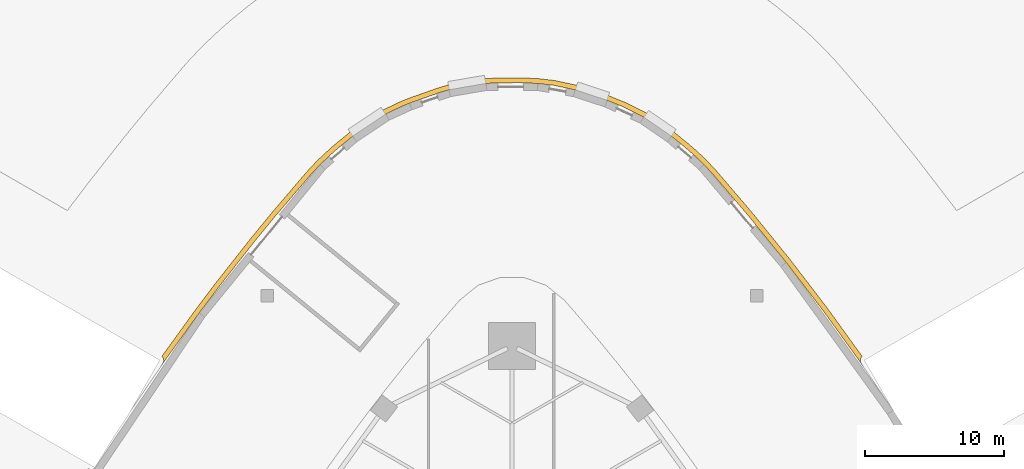
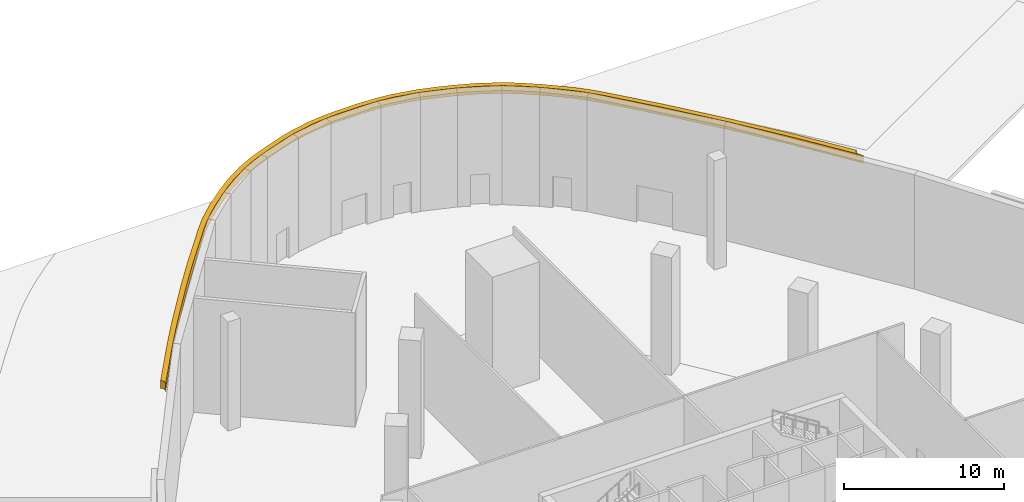
# One storey, part 26 of 29: 1 covering.
"""IFC4 building model written with IfcOpenShell, lengths in metres."""

from ifc_helpers import new_model, si_unit, direction, frame, origin, place, context, subcontext, project, spatial, polyline, outline, extrude, material, layer, layer_set, type_object, element, save


model = new_model("IFC4")

# Units and contexts
model_context = context("Model", 3, precision=1e-05, world=origin(), true_north=direction((0.0, 1.0)))
body_context = subcontext(model_context, "Body", "Model", "MODEL_VIEW")
ifc_project = project(units=[si_unit("LENGTHUNIT", "METRE"), si_unit("AREAUNIT", "SQUARE_METRE"), si_unit("VOLUMEUNIT", "CUBIC_METRE"), si_unit("PLANEANGLEUNIT", "RADIAN"), si_unit("MASSUNIT", "GRAM", prefix="KILO")], contexts=[model_context])

# Site, building, storey
site_placement = place(None, origin())
site = spatial("IfcSite", under=ifc_project, at=site_placement, CompositionType="ELEMENT")
building_placement = place(site_placement, origin())
building = spatial("IfcBuilding", under=site, at=building_placement, Name="Sierra Prisma Convention Tower", CompositionType="ELEMENT")
storey_placement = place(building_placement, origin())
storey = spatial("IfcBuildingStorey", under=building, at=storey_placement, Name="L00", CompositionType="ELEMENT", Elevation=0.0)

# Covering
ifc_material = material(Name="Dark rose-grey plaster")
ifc_layer = layer(ifc_material, 0.35009765625)
ifc_layer_set = layer_set([ifc_layer], Name="Plinth cornice band 600")
covering_type = type_object("IfcCoveringType", Name="Plinth cornice band 600", PredefinedType="CLADDING", material=ifc_layer_set)
covering_placement = place(storey_placement, frame((0.0, 0.0, 8.14990234375)))
element("IfcCovering", 1, at=covering_placement, inside=storey, type_object=covering_type, Name="Plinth cornice 3", PredefinedType="CLADDING", context=body_context, shape_type="SweptSolid", body=[
    extrude(outline(polyline([(-25.1845703125, 30.824462890625), (-25.16015625, 30.808837890625), (-25.13720703125, 30.79052734375), (-25.115966796875, 30.77001953125), (-25.096923828125, 30.74755859375), (-25.080322265625, 30.723388671875), (-25.06591796875, 30.69775390625), (-25.05419921875, 30.670654296875), (-25.045166015625, 30.642578125), (-25.0390625, 30.61376953125), (-25.03564453125, 30.584716796875), (-25.03515625, 30.55517578125), (-25.03759765625, 30.52587890625), (-25.042724609375, 30.496826171875), (-25.051025390625, 30.468505859375), (-25.061767578125, 30.441162109375), (-25.0751953125, 30.4150390625), (-25.26513671875, 30.0859375), (-24.90185546875, 30.6181640625), (-22.487548828125, 33.96142578125), (-21.07470703125, 35.83642578125), (-18.52587890625, 39.07861328125), (-16.993896484375, 40.946533203125), (-14.481201171875, 43.888427734375), (-13.789794921875, 44.632568359375), (-12.724609375, 45.626953125), (-11.4638671875, 46.658935546875), (-10.41650390625, 47.431640625), (-9.067138671875, 48.260009765625), (-8.048828125, 48.755859375), (-7.370849609375, 49.039794921875), (-5.242431640625, 49.792724609375), (-4.53662109375, 49.998291015625), (-2.988037109375, 50.3291015625), (-1.86279296875, 50.457275390625), (-1.12890625, 50.498779296875), (0.5625, 50.514892578125), (1.86279296875, 50.457275390625), (2.988037109375, 50.3291015625), (4.53662109375, 49.998291015625), (5.781494140625, 49.618896484375), (6.84228515625, 49.243896484375), (8.048828125, 48.755859375), (9.4609375, 48.03955078125), (10.41650390625, 47.431640625), (11.4638671875, 46.658935546875), (12.38720703125, 45.912353515625), (13.154296875, 45.24658203125), (13.789794921875, 44.632568359375), (14.481201171875, 43.888427734375), (16.993896484375, 40.946533203125), (19.709716796875, 37.593994140625), (22.3740234375, 34.114501953125), (24.90185546875, 30.6181640625), (25.261474609375, 30.0908203125), (25.074462890625, 30.41455078125), (25.06103515625, 30.440673828125), (25.05029296875, 30.46826171875), (25.042236328125, 30.49658203125), (25.036865234375, 30.525390625), (25.034423828125, 30.5546875), (25.034912109375, 30.584228515625), (25.038330078125, 30.613525390625), (25.04443359375, 30.642333984375), (25.053466796875, 30.670166015625), (25.065185546875, 30.697265625), (25.07958984375, 30.722900390625), (25.09619140625, 30.747314453125), (25.115234375, 30.769775390625), (25.136474609375, 30.7900390625), (25.15966796875, 30.808349609375), (25.1845703125, 30.824462890625), (22.65478515625, 34.323486328125), (19.984619140625, 37.810546875), (17.26318359375, 41.17041015625), (14.74267578125, 44.121337890625), (14.039794921875, 44.877685546875), (13.390869140625, 45.5048828125), (12.61181640625, 46.1806640625), (11.677978515625, 46.93603515625), (10.61474609375, 47.720458984375), (9.634521484375, 48.343994140625), (8.19384765625, 49.07470703125), (6.96630859375, 49.5712890625), (5.89111328125, 49.95166015625), (4.624267578125, 50.33740234375), (3.044677734375, 50.675048828125), (1.890380859375, 50.806396484375), (0.568603515625, 50.864990234375), (-1.140380859375, 50.8486328125), (-1.892333984375, 50.80615234375), (-3.044677734375, 50.675048828125), (-4.6220703125, 50.337890625), (-5.349853515625, 50.1259765625), (-7.496826171875, 49.366455078125), (-8.193115234375, 49.074951171875), (-9.235595703125, 48.567138671875), (-10.6123046875, 47.72216796875), (-11.6787109375, 46.935302734375), (-12.955078125, 45.890625), (-14.037841796875, 44.8798828125), (-14.74267578125, 44.121337890625), (-17.262451171875, 41.171142578125), (-18.798828125, 39.2978515625), (-21.35205078125, 36.050048828125), (-22.769287109375, 34.169189453125), (-25.1845703125, 30.824462890625)])), origin(), (0.0, 0.0, 1.0), 0.60009765625),
])

save(model, "model.ifc")
